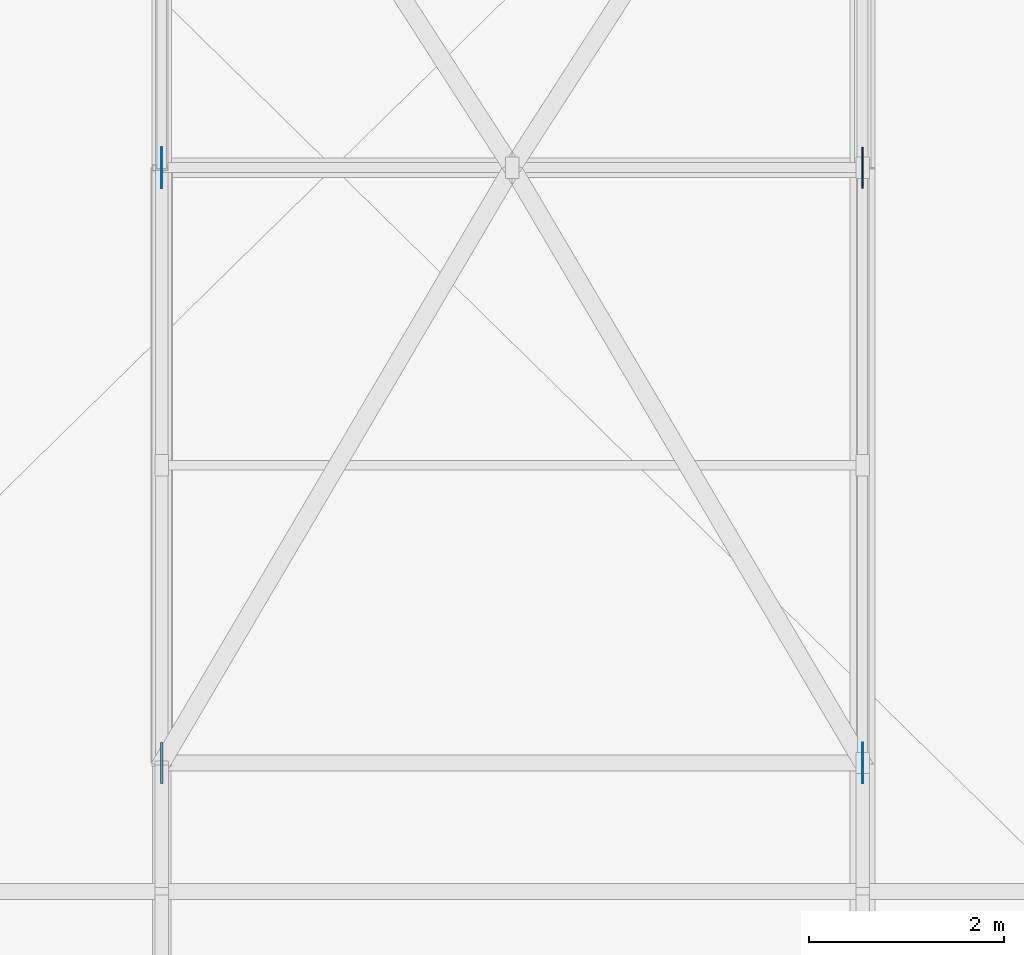
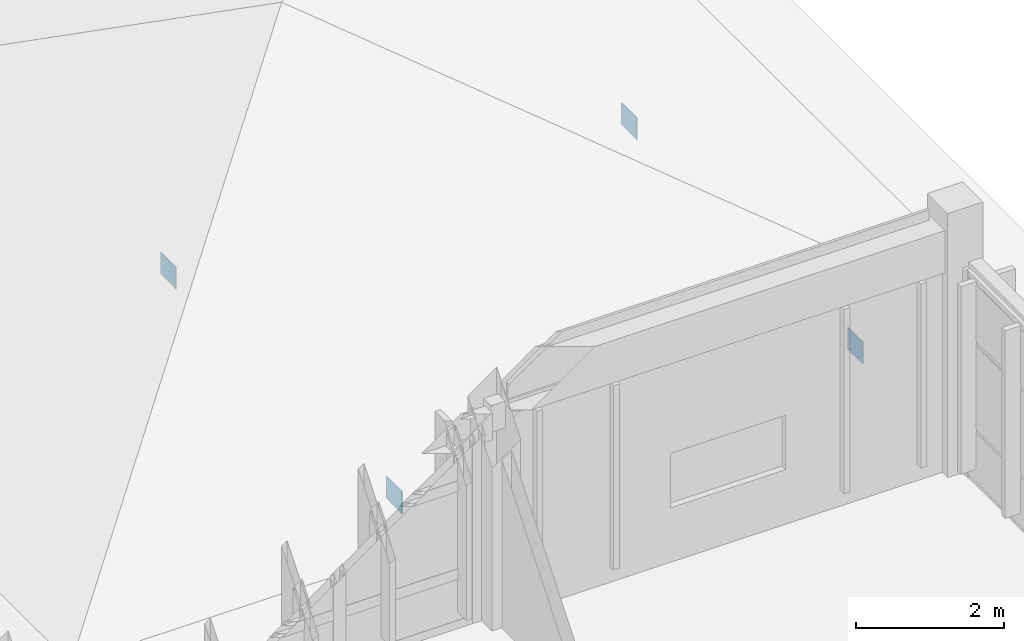
# One storey, part 32 of 51: 4 plates.
"""IFC4 building model written with IfcOpenShell, lengths in metres."""

from ifc_helpers import new_model, si_unit, direction, frame, origin, origin_2d, place, context, subcontext, project, spatial, rectangle, extrude, material, layer, layer_set, type_object, element, save


model = new_model("IFC4")

# Units and contexts
model_context = context("Model", 3, precision=1e-05, world=origin(), true_north=direction((0.0, 1.0)))
body_context = subcontext(model_context, "Body", "Model", "MODEL_VIEW")
ifc_project = project(units=[si_unit("LENGTHUNIT", "METRE"), si_unit("AREAUNIT", "SQUARE_METRE"), si_unit("VOLUMEUNIT", "CUBIC_METRE"), si_unit("PLANEANGLEUNIT", "RADIAN"), si_unit("MASSUNIT", "GRAM", prefix="KILO")], contexts=[model_context])

# Site, building, storey
site_placement = place(None, origin())
site = spatial("IfcSite", under=ifc_project, at=site_placement, CompositionType="ELEMENT")
building_placement = place(site_placement, origin())
building = spatial("IfcBuilding", under=site, at=building_placement, Name="Steenspoor Specialist Clinic", CompositionType="ELEMENT")
storey_placement = place(building_placement, frame((0.0, 0.0, 17.39990234375)))
storey = spatial("IfcBuildingStorey", under=building, at=storey_placement, Name="L04", CompositionType="ELEMENT", Elevation=17.39990234375)

# Plates
ifc_material = material(Name="Steel A572 Grade 50", Category="steel")
ifc_layer_1 = layer(ifc_material, 0.010009765625)
ifc_layer_set_1 = layer_set([ifc_layer_1], Name="Steel A572 Grade 50")
plate_type_1 = type_object("IfcPlateType", Name="PL-CAP-10", PredefinedType="SHEET", material=ifc_layer_set_1)
for number, where, z_axis, x_axis, name in (
    (1, (139.60009765625, 102.764892578125, 0.15283203125), (0.0, 0.0, 1.0), (1.0, 0.0, 0.0), "Truss Gusset Plate GP-10"),
    (2, (146.800048828125, 96.64990234375, 0.1015625), (0.0, 0.0, 1.0), (1.0, 0.0, 0.0), "Truss Gusset Plate GP-10"),
):
    element("IfcPlate", number, at=place(storey_placement, frame(where, z_axis=z_axis, x_axis=x_axis)), inside=storey, type_object=plate_type_1, Name=name, PredefinedType="SHEET", context=body_context, shape_type="SweptSolid", body=[
        extrude(rectangle(XDim=0.010009765625, YDim=0.419921875, at=origin_2d()), origin(), (0.0, 0.0, 1.0), 0.360107421875),
    ])
ifc_layer_2 = layer(ifc_material, 0.01611328125)
ifc_layer_set_2 = layer_set([ifc_layer_2], Name="Steel A572 Grade 50")
plate_type_2 = type_object("IfcPlateType", Name="PL-GUS-16", PredefinedType="SHEET", material=ifc_layer_set_2)
plate_1_placement = place(storey_placement, frame((146.800048828125, 102.764892578125, 0.1015625), z_axis=(0.0, 0.0, 1.0), x_axis=(1.0, 0.0, 0.0)))
element("IfcPlate", 3, at=plate_1_placement, inside=storey, type_object=plate_type_2, Name="Truss Gusset Plate GP-16", PredefinedType="SHEET", context=body_context, shape_type="SweptSolid", body=[
    extrude(rectangle(XDim=0.01611328125, YDim=0.419921875, at=origin_2d()), origin(), (0.0, 0.0, 1.0), 0.360107421875),
])
ifc_layer_3 = layer(ifc_material, 0.02392578125)
ifc_layer_set_3 = layer_set([ifc_layer_3], Name="Steel A572 Grade 50")
plate_type_3 = type_object("IfcPlateType", Name="PL-GUS-24", PredefinedType="SHEET", material=ifc_layer_set_3)
plate_2_placement = place(storey_placement, frame((139.60009765625, 96.64990234375, 0.15283203125), z_axis=(0.0, 0.0, 1.0), x_axis=(1.0, 0.0, 0.0)))
element("IfcPlate", 4, at=plate_2_placement, inside=storey, type_object=plate_type_3, Name="Truss Gusset Plate GP-24", PredefinedType="SHEET", context=body_context, shape_type="SweptSolid", body=[
    extrude(rectangle(XDim=0.02392578125, YDim=0.419921875, at=origin_2d()), origin(), (0.0, 0.0, 1.0), 0.360107421875),
])

save(model, "model.ifc")
